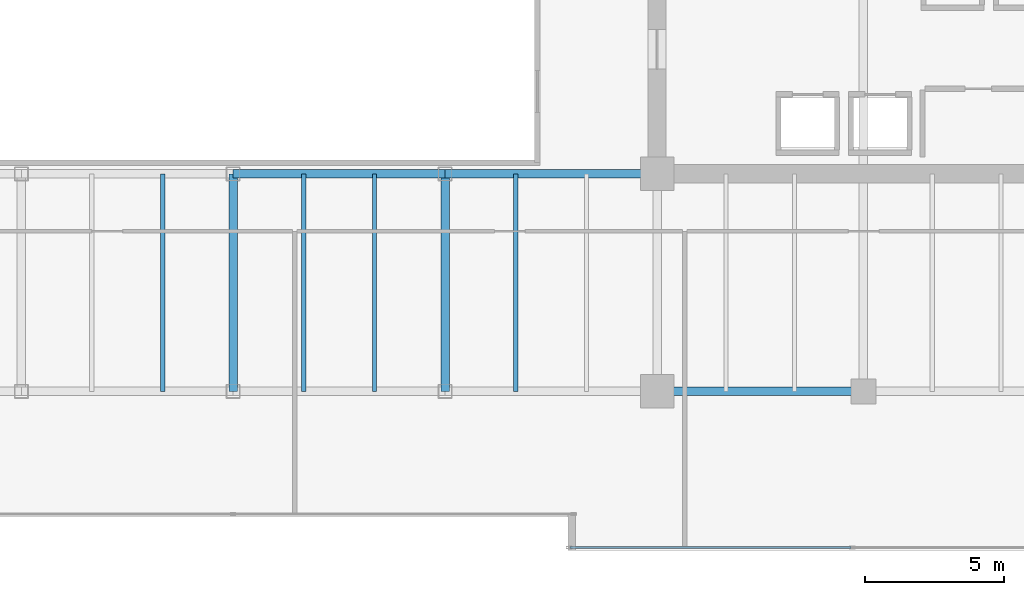
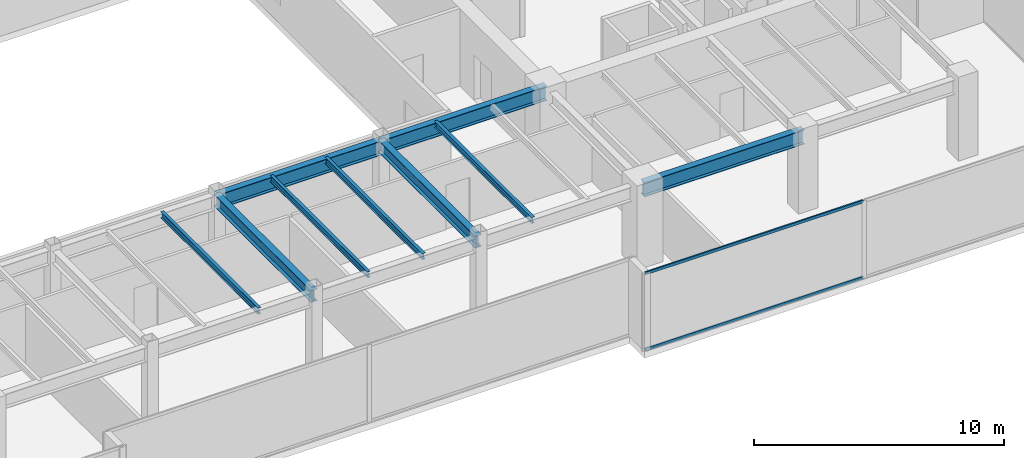
# One storey, part 11 of 30: 9 beams, 2 members, 1 element without a shape of its own.
"""IFC4 building model written with IfcOpenShell, lengths in metres."""

import ifcopenshell
import ifcopenshell.guid

model = None  # the IFC model being written
_history = None  # IfcOwnerHistory: only IFC2X3 demands one
_inside = {}  # id of a spatial element -> (the spatial element, [elements in it])
_under = {}  # id of a project, library or spatial element -> (it, [spatial elements below it])
_declared = {}  # id of a project -> (the project, [libraries it declares])
_typed = {}  # id of a type object -> (the type object, [elements of that type])
_made_of = {}  # id of a material, layer set ... -> (it, [elements and type objects made of it])


def new_model(schema):
    """Start an empty IFC model of exactly this schema.

    Asked for "IFC4X3", IfcOpenShell would pick the latest addendum, in which some entities
    have other attributes; the version numbers below select the first issue.
    IFC2X3 requires an IfcOwnerHistory on every rooted entity: one is made here for all.
    """
    global model, _history
    if schema == "IFC4X3":
        model = ifcopenshell.file(schema_version=(4, 3, 0, 0))
    else:
        model = ifcopenshell.file(schema=schema)
    _inside.clear()
    _under.clear()
    _declared.clear()
    _typed.clear()
    _made_of.clear()
    _history = None
    if model.schema == "IFC2X3":
        org = make("IfcOrganization", Name="unknown")
        user = make(
            "IfcPersonAndOrganization",
            ThePerson=make("IfcPerson", FamilyName="unknown"),
            TheOrganization=org,
        )
        app = make(
            "IfcApplication",
            ApplicationDeveloper=org,
            Version="unknown",
            ApplicationFullName="unknown",
            ApplicationIdentifier="unknown",
        )
        _history = make(
            "IfcOwnerHistory",
            OwningUser=user,
            OwningApplication=app,
            ChangeAction="ADDED",
            CreationDate=0,
        )
    return model


def make(cls, **values):
    """One entity of the class cls with the attributes given. An attribute that is None is left unset."""
    return model.create_entity(
        cls, **{name: value for name, value in values.items() if value is not None}
    )


def rooted(cls, **values):
    """An entity with a GlobalId (a new one), such as an element, a storey or a relation."""
    return make(cls, GlobalId=ifcopenshell.guid.new(), OwnerHistory=_history, **values)


def si_unit(unit_type, name, prefix=None):
    """IfcSIUnit, for example si_unit("LENGTHUNIT", "METRE", prefix="MILLI")."""
    return make("IfcSIUnit", UnitType=unit_type, Prefix=prefix, Name=name)


def assignment(units):
    """IfcUnitAssignment: the units of a project."""
    return None if units is None else make("IfcUnitAssignment", Units=units)


def point(xyz):
    """IfcCartesianPoint."""
    return None if xyz is None else make("IfcCartesianPoint", Coordinates=xyz)


def direction(xyz):
    """IfcDirection."""
    return None if xyz is None else make("IfcDirection", DirectionRatios=xyz)


def frame(location, z_axis=None, x_axis=None):
    """IfcAxis2Placement3D, a coordinate frame: its origin and axes. An axis left out is left unset."""
    return make(
        "IfcAxis2Placement3D",
        Location=point(location),
        Axis=direction(z_axis),
        RefDirection=direction(x_axis),
    )


def frame_2d(location, x_axis=None):
    """IfcAxis2Placement2D, a coordinate frame in the plane: its origin and x axis."""
    return make(
        "IfcAxis2Placement2D", Location=point(location), RefDirection=direction(x_axis)
    )


def origin():
    """The frame at (0, 0, 0) with its axes left unset."""
    return frame((0.0, 0.0, 0.0))


def origin_2d():
    """The frame at (0, 0) in the plane with its x axis left unset."""
    return frame_2d((0.0, 0.0))


def place(relative_to, where):
    """IfcLocalPlacement: puts the frame where relative to a parent placement (None: the world)."""
    return make(
        "IfcLocalPlacement", PlacementRelTo=relative_to, RelativePlacement=where
    )


def context(
    kind, dimensions, precision=None, world=None, true_north=None, identifier=None
):
    """IfcGeometricRepresentationContext, for example the 3D "Model" context."""
    return make(
        "IfcGeometricRepresentationContext",
        ContextIdentifier=identifier,
        ContextType=kind,
        CoordinateSpaceDimension=dimensions,
        Precision=precision,
        WorldCoordinateSystem=world,
        TrueNorth=true_north,
    )


def subcontext(parent, identifier, kind, view, scale=None):
    """IfcGeometricRepresentationSubContext, for example "Body" below "Model"."""
    return make(
        "IfcGeometricRepresentationSubContext",
        ContextIdentifier=identifier,
        ContextType=kind,
        ParentContext=parent,
        TargetScale=scale,
        TargetView=view,
    )


def project(units=None, contexts=None):
    """IfcProject with its units and contexts."""
    return rooted(
        "IfcProject",
        Name="project",
        RepresentationContexts=contexts,
        UnitsInContext=assignment(units),
    )


def spatial(cls, under=None, at=None, **own):
    """A site, building, storey or space (cls), placed at a placement, below another one or the project."""
    s = rooted(cls, ObjectPlacement=at, **own)
    if under is not None:
        _under.setdefault(under.id(), (under, []))[1].append(s)
    return s


def profile(cls, at=None, kind="AREA", **sizes):
    """A parametric profile (cls). Its sizes go by their IFC names, for example OverallWidth=200.0."""
    return make(cls, ProfileType=kind, Position=at, **sizes)


def hollow_rectangle(**sizes):
    """IfcRectangleHollowProfileDef."""
    return profile("IfcRectangleHollowProfileDef", **sizes)


def i_section(**sizes):
    """IfcIShapeProfileDef."""
    return profile("IfcIShapeProfileDef", **sizes)


def extrude(swept, where, along, depth):
    """IfcExtrudedAreaSolid: the profile swept, set in the frame where, extruded along a direction by depth."""
    return make(
        "IfcExtrudedAreaSolid",
        SweptArea=swept,
        Position=where,
        ExtrudedDirection=direction(along),
        Depth=depth,
    )


def shape(context_of_items, identifier, shape_type, items):
    """IfcShapeRepresentation: the items that make up one representation, for example the "Body"."""
    return make(
        "IfcShapeRepresentation",
        ContextOfItems=context_of_items,
        RepresentationIdentifier=identifier,
        RepresentationType=shape_type,
        Items=items,
    )


def source(mapping_origin, context_of_items, identifier, shape_type, items):
    """IfcRepresentationMap: a shape defined once, which mapped items show again and again."""
    return make(
        "IfcRepresentationMap",
        MappingOrigin=mapping_origin,
        MappedRepresentation=shape(context_of_items, identifier, shape_type, items),
    )


def transform(
    local_origin,
    x_axis=None,
    y_axis=None,
    z_axis=None,
    scale=None,
    scale2=None,
    scale3=None,
    uniform=True,
):
    """IfcCartesianTransformationOperator3D, or its non-uniform kind. x_axis, y_axis, z_axis: its Axis1, 2, 3."""
    if uniform:
        return make(
            "IfcCartesianTransformationOperator3D",
            Axis1=direction(x_axis),
            Axis2=direction(y_axis),
            LocalOrigin=point(local_origin),
            Scale=scale,
            Axis3=direction(z_axis),
        )
    return make(
        "IfcCartesianTransformationOperator3DnonUniform",
        Axis1=direction(x_axis),
        Axis2=direction(y_axis),
        LocalOrigin=point(local_origin),
        Scale=scale,
        Axis3=direction(z_axis),
        Scale2=scale2,
        Scale3=scale3,
    )


def mapped(mapping_source, mapping_target):
    """IfcMappedItem: shows the shape of a source again, moved by a transform."""
    return make(
        "IfcMappedItem", MappingSource=mapping_source, MappingTarget=mapping_target
    )


def material(Name=None, Category=None):
    """IfcMaterial."""
    return make("IfcMaterial", Name=Name, Category=Category)


def layer(
    of_material, thickness, ventilated=None, Name=None, Category=None, Priority=None
):
    """IfcMaterialLayer: one layer of a wall or slab, of a material (None: an air gap)."""
    return make(
        "IfcMaterialLayer",
        Material=of_material,
        LayerThickness=thickness,
        IsVentilated=ventilated,
        Name=Name,
        Category=Category,
        Priority=Priority,
    )


def layer_set(layers, Name=None):
    """IfcMaterialLayerSet."""
    return make("IfcMaterialLayerSet", MaterialLayers=layers, LayerSetName=Name)


def material_profile(
    of_material, cross_section, Name=None, Category=None, Priority=None
):
    """IfcMaterialProfile: a cross section and its material."""
    return make(
        "IfcMaterialProfile",
        Name=Name,
        Material=of_material,
        Profile=cross_section,
        Priority=Priority,
        Category=Category,
    )


def profile_set(profiles, Name=None, composite=None):
    """IfcMaterialProfileSet."""
    return make(
        "IfcMaterialProfileSet",
        Name=Name,
        MaterialProfiles=profiles,
        CompositeProfile=composite,
    )


def made_of(thing, what):
    """Note that an element or type object is made of a material, layer set ...; save() writes the relation."""
    if what is not None:
        _made_of.setdefault(what.id(), (what, []))[1].append(thing)
    return thing


def type_object(cls, material=None, **own):
    """A type object (cls), such as IfcWallType, which elements share."""
    return made_of(rooted(cls, **own), material)


def type_shapes(of_type, sources):
    """Give a type object the sources (RepresentationMaps) that its elements show as mapped items."""
    of_type.RepresentationMaps = sources


def element(
    cls,
    number,
    at=None,
    inside=None,
    cuts=None,
    type_object=None,
    material=None,
    context=None,
    identifier="Body",
    shape_type=None,
    held_by="IfcProductDefinitionShape",
    body=None,
    shapes=None,
    **own,
):
    """One element of the class cls, such as IfcWall. Its Tag is "e" and its number.

    at: its placement. inside: the storey or other place that contains it. cuts: it is an
    opening in that element (IfcRelVoidsElement). A single representation is given by context,
    identifier, shape_type and body (its items); several are given by shapes. held_by: the class
    of the entity that holds the representations. save() writes the other relations.
    """
    e = rooted(cls, Tag="e%d" % number, ObjectPlacement=at, **own)
    if body is not None:
        shapes = [shape(context, identifier, shape_type, body)]
    if shapes is not None:
        e.Representation = make(held_by, Representations=shapes)
    if inside is not None:
        _inside.setdefault(inside.id(), (inside, []))[1].append(e)
    if cuts is not None:
        rooted(
            "IfcRelVoidsElement", RelatingBuildingElement=cuts, RelatedOpeningElement=e
        )
    if type_object is not None:
        _typed.setdefault(type_object.id(), (type_object, []))[1].append(e)
    return made_of(e, material)


def aggregate(whole, parts):
    """IfcRelAggregates: a whole, such as a stair, and the parts it consists of."""
    return rooted("IfcRelAggregates", RelatingObject=whole, RelatedObjects=parts)


def save(model, path):
    """Write the relations noted so far, then the file.

    IfcRelAggregates (storeys below a building ...), IfcRelContainedInSpatialStructure (elements
    in a storey), IfcRelDefinesByType, IfcRelAssociatesMaterial and IfcRelDeclares: one each for
    every whole, place, type object, material and project.
    """
    for whole, parts in _under.values():
        aggregate(whole, parts)
    for where, things in _inside.values():
        rooted(
            "IfcRelContainedInSpatialStructure",
            RelatedElements=things,
            RelatingStructure=where,
        )
    for kind, things in _typed.values():
        rooted("IfcRelDefinesByType", RelatedObjects=things, RelatingType=kind)
    for what, things in _made_of.values():
        rooted("IfcRelAssociatesMaterial", RelatedObjects=things, RelatingMaterial=what)
    for by, libraries in _declared.values():
        rooted("IfcRelDeclares", RelatingContext=by, RelatedDefinitions=libraries)
    model.write(path)


model = new_model("IFC4")

# Units and contexts
model_context = context("Model", 3, precision=1e-05, world=origin(), true_north=direction((0.0, 1.0)))
body_context = subcontext(model_context, "Body", "Model", "MODEL_VIEW")
ifc_project = project(units=[si_unit("LENGTHUNIT", "METRE"), si_unit("AREAUNIT", "SQUARE_METRE"), si_unit("VOLUMEUNIT", "CUBIC_METRE"), si_unit("PLANEANGLEUNIT", "RADIAN"), si_unit("MASSUNIT", "GRAM", prefix="KILO")], contexts=[model_context])

# Site, building, storey
site_placement = place(None, origin())
site = spatial("IfcSite", under=ifc_project, at=site_placement, CompositionType="ELEMENT")
building_placement = place(site_placement, origin())
building = spatial("IfcBuilding", under=site, at=building_placement, Name="Haelvirn Gate Laboratories", CompositionType="ELEMENT")
storey_placement = place(building_placement, frame((0.0, 0.0, 183.0)))
storey = spatial("IfcBuildingStorey", under=building, at=storey_placement, Name="L44", CompositionType="ELEMENT", Elevation=183.0)

# Beams
ifc_material_1 = material(Name="Steel SM355", Category="steel")
ifc_material_profile_1 = material_profile(ifc_material_1, i_section(OverallWidth=0.300048828125, OverallDepth=0.699951171875, WebThickness=0.012939453125, FlangeThickness=0.02392578125, at=origin_2d()), Name="H-700x300x13x24")
ifc_profile_set_1 = profile_set([ifc_material_profile_1], Name="Steel SM355")
beam_type_1 = type_object("IfcBeamType", Name="BM-G-700", PredefinedType="BEAM", material=ifc_profile_set_1)
shared_shape_1 = source(origin(), body_context, "Body", "SweptSolid", [
    extrude(i_section(OverallWidth=0.300048828125, OverallDepth=0.699951171875, WebThickness=0.012939453125, FlangeThickness=0.02392578125, at=origin_2d()), origin(), (0.0, 0.0, 1.0), 7.39990234375),
])
beam_placement = place(storey_placement, frame((52.60009765625, 7.0, 3.43994140625), z_axis=(1.0, 0.0, 0.0), x_axis=(0.0, 1.0, 0.0)))
element("IfcBeam", 1, at=beam_placement, inside=storey, type_object=beam_type_1, Name="L44 Primary Girder Y7.0 (52.6-60.0)", PredefinedType="BEAM", context=body_context, shape_type="MappedRepresentation", body=[
    mapped(shared_shape_1, transform((0.0, 0.0, 0.0), scale=1.0)),
])
shared_shape_2 = source(origin(), body_context, "Body", "SweptSolid", [
    extrude(i_section(OverallWidth=0.300048828125, OverallDepth=0.699951171875, WebThickness=0.012939453125, FlangeThickness=0.02392578125, at=origin_2d()), origin(), (0.0, 0.0, 1.0), 7.60009765625),
])
type_shapes(beam_type_1, [shared_shape_1, shared_shape_2])
for number, where, z_axis, x_axis, name in (
    (2, (37.39990234375, 14.800048828125, 3.43994140625), (1.0, 0.0, 0.0), (0.0, 1.0, 0.0), "L44 Primary Girder Y14.8 (37.4-45.0)"),
    (3, (45.0, 14.800048828125, 3.43994140625), (1.0, 0.0, 0.0), (0.0, 1.0, 0.0), "L44 Primary Girder Y14.8 (45.0-52.6)"),
):
    element("IfcBeam", number, at=place(storey_placement, frame(where, z_axis=z_axis, x_axis=x_axis)), inside=storey, type_object=beam_type_1, Name=name, PredefinedType="BEAM", context=body_context, shape_type="MappedRepresentation", body=[
        mapped(shared_shape_2, transform((0.0, 0.0, 0.0), scale=1.0)),
    ])
ifc_material_profile_2 = material_profile(ifc_material_1, i_section(OverallWidth=0.14990234375, OverallDepth=0.300048828125, WebThickness=0.006591796875, FlangeThickness=0.009033203125, at=origin_2d()), Name="H-300x150x6.5x9")
ifc_profile_set_2 = profile_set([ifc_material_profile_2], Name="Steel SM355")
beam_type_2 = type_object("IfcBeamType", Name="BM-J-300", PredefinedType="JOIST", material=ifc_profile_set_2)
shared_shape_3 = source(origin(), body_context, "Body", "SweptSolid", [
    extrude(i_section(OverallWidth=0.14990234375, OverallDepth=0.300048828125, WebThickness=0.006591796875, FlangeThickness=0.009033203125, at=origin_2d()), origin(), (0.0, 0.0, 1.0), 7.800048828125),
])
type_shapes(beam_type_2, [shared_shape_3])
for number, where, z_axis, x_axis, name in (
    (4, (34.8701171875, 7.0, 3.639892578125), (0.0, 1.0, 0.0), (-1.0, 0.0, 0.0), "L44 Composite Lab Joist South X34.87"),
    (5, (39.929931640625, 7.0, 3.639892578125), (0.0, 1.0, 0.0), (-1.0, 0.0, 0.0), "L44 Composite Lab Joist South X39.93"),
    (6, (42.469970703125, 7.0, 3.639892578125), (0.0, 1.0, 0.0), (-1.0, 0.0, 0.0), "L44 Composite Lab Joist South X42.47"),
    (7, (47.530029296875, 7.0, 3.639892578125), (0.0, 1.0, 0.0), (-1.0, 0.0, 0.0), "L44 Composite Lab Joist South X47.53"),
):
    element("IfcBeam", number, at=place(storey_placement, frame(where, z_axis=z_axis, x_axis=x_axis)), inside=storey, type_object=beam_type_2, Name=name, PredefinedType="JOIST", context=body_context, shape_type="MappedRepresentation", body=[
        mapped(shared_shape_3, transform((0.0, 0.0, 0.0), scale=1.0)),
    ])
ifc_material_profile_3 = material_profile(ifc_material_1, i_section(OverallWidth=0.300048828125, OverallDepth=0.587890625, WebThickness=0.011962890625, FlangeThickness=0.02001953125, at=origin_2d()), Name="H-588x300x12x20")
ifc_profile_set_3 = profile_set([ifc_material_profile_3], Name="Steel SM355")
beam_type_3 = type_object("IfcBeamType", Name="BM-G-588", PredefinedType="BEAM", material=ifc_profile_set_3)
shared_shape_4 = source(origin(), body_context, "Body", "SweptSolid", [
    extrude(i_section(OverallWidth=0.300048828125, OverallDepth=0.587890625, WebThickness=0.011962890625, FlangeThickness=0.02001953125, at=origin_2d()), origin(), (0.0, 0.0, 1.0), 7.800048828125),
])
type_shapes(beam_type_3, [shared_shape_4])
for number, where, z_axis, x_axis, name in (
    (8, (37.39990234375, 7.0, 3.49609375), (0.0, 1.0, 0.0), (-1.0, 0.0, 0.0), "L44 Frame Girder X37.4 (7.0-14.8)"),
    (9, (45.0, 7.0, 3.49609375), (0.0, 1.0, 0.0), (-1.0, 0.0, 0.0), "L44 Frame Girder X45.0 (7.0-14.8)"),
):
    element("IfcBeam", number, at=place(storey_placement, frame(where, z_axis=z_axis, x_axis=x_axis)), inside=storey, type_object=beam_type_3, Name=name, PredefinedType="BEAM", context=body_context, shape_type="MappedRepresentation", body=[
        mapped(shared_shape_4, transform((0.0, 0.0, 0.0), scale=1.0)),
    ])

# Curtain wall, members
ifc_material_2 = material(Name="Anodised bronze unitised aluminium & triple low-E glass", Category="aluminium")
ifc_layer = layer(ifc_material_2, 0.179931640625, Name="CW-SYS-3")
ifc_layer_set = layer_set([ifc_layer], Name="Anodised bronze unitised aluminium & triple low-E glass")
curtain_wall_type = type_object("IfcCurtainWallType", Name="CW-SYS-3", PredefinedType="NOTDEFINED", material=ifc_layer_set)
curtain_wall_placement = place(storey_placement, origin())
curtain_wall = element("IfcCurtainWall", 10, at=curtain_wall_placement, inside=storey, type_object=curtain_wall_type, Name="L44 Unitised Curtain Wall CW-L44-P0-E04-1", PredefinedType="NOTDEFINED")
ifc_material_3 = material(Name="Extruded aluminium 6063-T6 (anodised bronze)", Category="aluminium")
ifc_material_profile_4 = material_profile(ifc_material_3, hollow_rectangle(XDim=0.06494140625, YDim=0.139892578125, WallThickness=0.00390625, at=origin_2d()), Name="CWT-140x65x4")
ifc_profile_set_4 = profile_set([ifc_material_profile_4], Name="Extruded aluminium 6063-T6 (anodised bronze)")
member_type = type_object("IfcMemberType", Name="CWT-T140", PredefinedType="USERDEFINED", material=ifc_profile_set_4)
shared_shape_5 = source(origin(), body_context, "Body", "SweptSolid", [
    extrude(hollow_rectangle(XDim=0.06494140625, YDim=0.139892578125, WallThickness=0.00390625, at=origin_2d()), origin(), (0.0, 0.0, 1.0), 10.08740234375),
])
type_shapes(member_type, [shared_shape_5])
member_1_placement = place(storey_placement, frame((49.47509765625, 1.39990234375, 0.032470703125), z_axis=(1.0, 0.0, 0.0), x_axis=(0.0, 1.0, 0.0)))
member_1 = element("IfcMember", 11, at=member_1_placement, type_object=member_type, Name="CW3 transom 1.1", ObjectType="TRANSOM", PredefinedType="USERDEFINED", context=body_context, shape_type="MappedRepresentation", body=[
    mapped(shared_shape_5, transform((0.0, 0.0, 0.0), scale=1.0)),
])
member_2_placement = place(storey_placement, frame((49.47509765625, 1.39990234375, 3.757568359375), z_axis=(1.0, 0.0, 0.0), x_axis=(0.0, 1.0, 0.0)))
member_2 = element("IfcMember", 12, at=member_2_placement, type_object=member_type, Name="CW3 transom 1.2", ObjectType="TRANSOM", PredefinedType="USERDEFINED", context=body_context, shape_type="MappedRepresentation", body=[
    mapped(shared_shape_5, transform((0.0, 0.0, 0.0), scale=1.0)),
])
aggregate(curtain_wall, [member_1, member_2])

save(model, "model.ifc")
